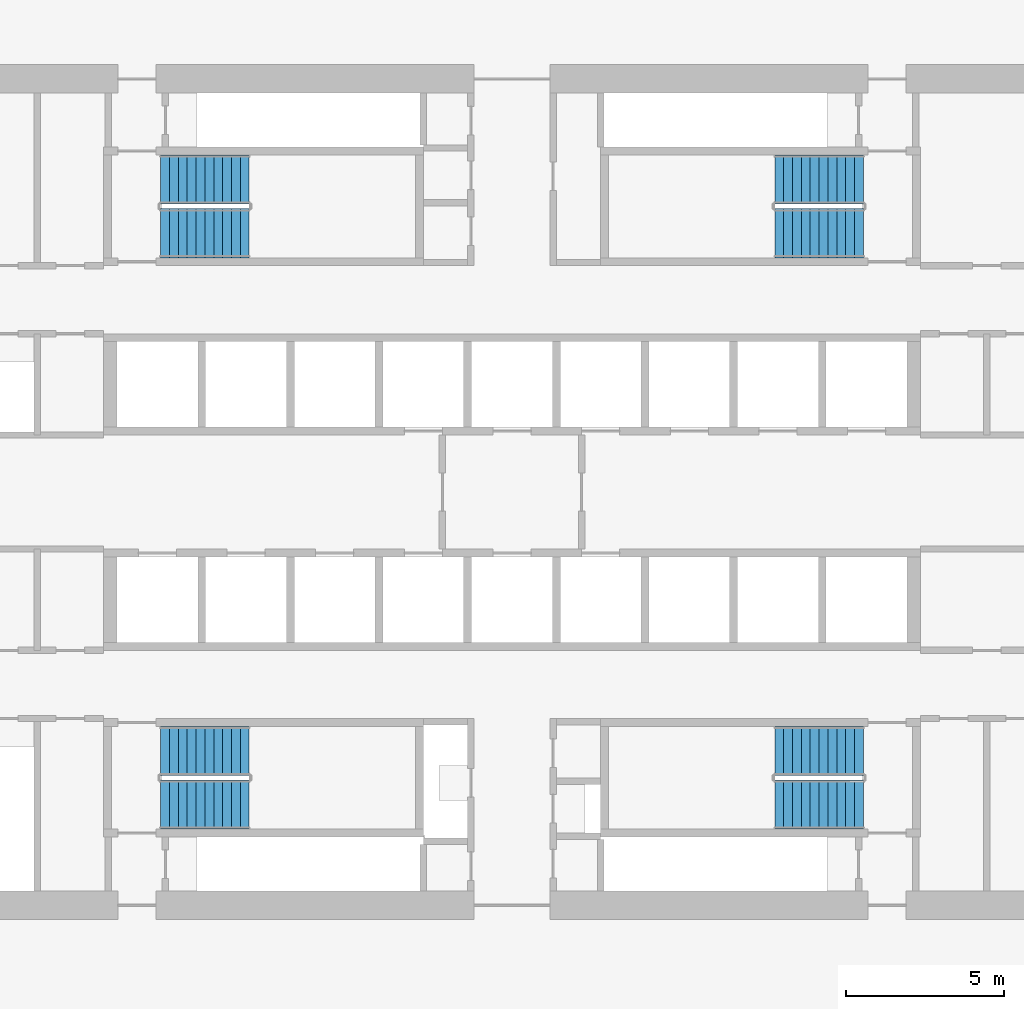
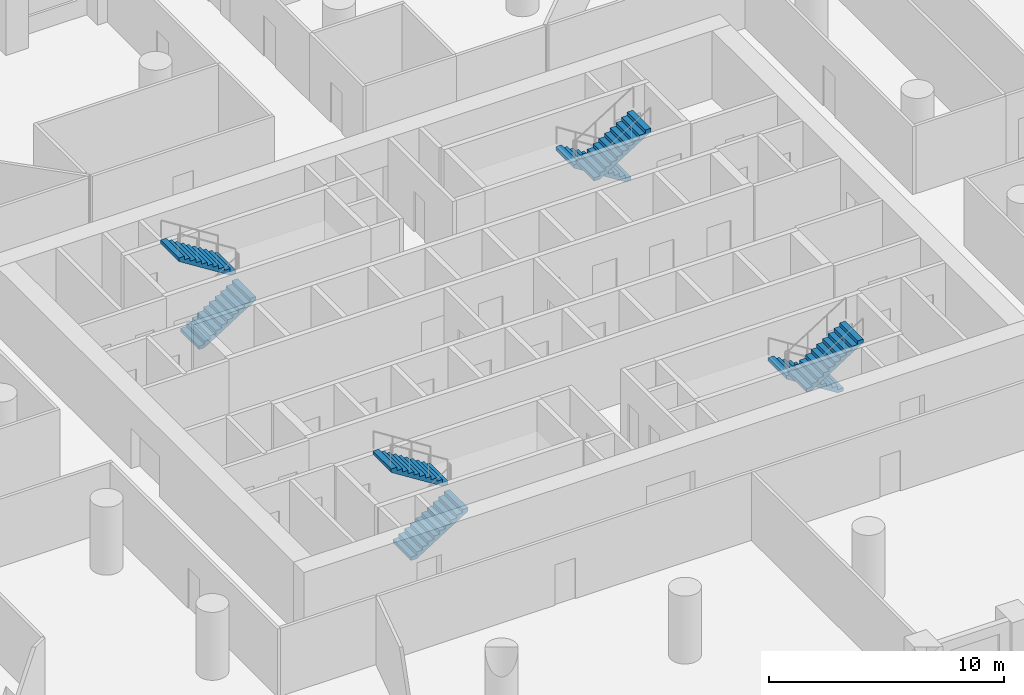
# One storey, part 9 of 10: 8 stair flights, 4 elements without a shape of their own.
"""IFC4 building model written with IfcOpenShell, lengths in metres."""

from ifc_helpers import new_model, si_unit, direction, frame, origin, place, context, subcontext, project, spatial, polyline, outline, extrude, material, type_object, element, aggregate, save


model = new_model("IFC4")

# Units and contexts
model_context = context("Model", 3, precision=1e-05, world=origin(), true_north=direction((0.0, 1.0)))
body_context = subcontext(model_context, "Body", "Model", "MODEL_VIEW")
ifc_project = project(units=[si_unit("LENGTHUNIT", "METRE"), si_unit("AREAUNIT", "SQUARE_METRE"), si_unit("VOLUMEUNIT", "CUBIC_METRE"), si_unit("PLANEANGLEUNIT", "RADIAN"), si_unit("MASSUNIT", "GRAM", prefix="KILO")], contexts=[model_context])

# Site, building, storey
site_placement = place(None, origin())
site = spatial("IfcSite", under=ifc_project, at=site_placement, CompositionType="ELEMENT")
building_placement = place(site_placement, origin())
building = spatial("IfcBuilding", under=site, at=building_placement, Name="Dhurran Vertical Campus", CompositionType="ELEMENT")
storey_placement = place(building_placement, frame((0.0, 0.0, 57.300048828125)))
storey = spatial("IfcBuildingStorey", under=building, at=storey_placement, Name="L13", CompositionType="ELEMENT", Elevation=57.300048828125)

# Stair, stair flights
ifc_material_1 = material(Name="Concrete C40/50", Category="concrete")
stair_type = type_object("IfcStairType", Name="co-ST-CORE", PredefinedType="HALF_TURN_STAIR", material=ifc_material_1)
stair_1_placement = place(storey_placement, origin())
stair_1 = element("IfcStair", 1, at=stair_1_placement, inside=storey, type_object=stair_type, Name="L13 Protected exit stair ST1", PredefinedType="HALF_TURN_STAIR")
ifc_material_2 = material(Name="Concrete C40/50", Category="concrete")
stair_flight_type = type_object("IfcStairFlightType", Name="co-SFL-RC", PredefinedType="STRAIGHT", material=ifc_material_2)
stair_flight_1_placement = place(storey_placement, frame((-11.10009765625, 8.175048828125, 0.0), z_axis=(0.0, 0.0, 1.0), x_axis=(1.0, 0.0, 0.0)))
stair_flight_1 = element("IfcStairFlight", 2, at=stair_flight_1_placement, type_object=stair_flight_type, Name="ST1 flight 1", NumberOfRisers=11, NumberOfTreads=10, PredefinedType="STRAIGHT", RiserHeight=0.177272727, TreadLength=0.28, context=body_context, shape_type="SweptSolid", body=[
    extrude(outline(polyline([(0.0, 0.0), (0.0, 0.17724609375), (0.280029296875, 0.17724609375), (0.280029296875, 0.3544921875), (0.56005859375, 0.3544921875), (0.56005859375, 0.53173828125), (0.840087890625, 0.53173828125), (0.840087890625, 0.708984375), (1.1201171875, 0.708984375), (1.1201171875, 0.886474609375), (1.39990234375, 0.886474609375), (1.39990234375, 1.063720703125), (1.679931640625, 1.063720703125), (1.679931640625, 1.240966796875), (1.9599609375, 1.240966796875), (1.9599609375, 1.418212890625), (2.239990234375, 1.418212890625), (2.239990234375, 1.595458984375), (2.52001953125, 1.595458984375), (2.52001953125, 1.772705078125), (2.800048828125, 1.772705078125), (2.800048828125, 1.949951171875), (2.800048828125, 1.59521484375), (0.2802734375, 0.0), (0.0, 0.0)])), frame((0.0, 0.77490234375, 0.0), z_axis=(0.0, -1.0, 0.0), x_axis=(1.0, 0.0, 0.0)), (0.0, 0.0, 1.0), 1.550048828125),
])
stair_flight_2_placement = place(storey_placement, frame((-8.300048828125, 9.875, 1.949951171875), z_axis=(0.0, 0.0, 1.0), x_axis=(-1.0, 0.0, 0.0)))
stair_flight_2 = element("IfcStairFlight", 3, at=stair_flight_2_placement, type_object=stair_flight_type, Name="ST1 flight 2", NumberOfRisers=11, NumberOfTreads=10, PredefinedType="STRAIGHT", RiserHeight=0.177272727, TreadLength=0.28, context=body_context, shape_type="SweptSolid", body=[
    extrude(outline(polyline([(0.0, 0.0), (0.0, 0.17724609375), (0.280029296875, 0.17724609375), (0.280029296875, 0.3544921875), (0.56005859375, 0.3544921875), (0.56005859375, 0.53173828125), (0.840087890625, 0.53173828125), (0.840087890625, 0.708984375), (1.1201171875, 0.708984375), (1.1201171875, 0.886474609375), (1.39990234375, 0.886474609375), (1.39990234375, 1.063720703125), (1.679931640625, 1.063720703125), (1.679931640625, 1.240966796875), (1.9599609375, 1.240966796875), (1.9599609375, 1.418212890625), (2.239990234375, 1.418212890625), (2.239990234375, 1.595458984375), (2.52001953125, 1.595458984375), (2.52001953125, 1.772705078125), (2.800048828125, 1.772705078125), (2.800048828125, 1.949951171875), (2.800048828125, 1.59521484375), (0.2802734375, 0.0), (0.0, 0.0)])), frame((0.0, 0.77490234375, 0.0), z_axis=(0.0, -1.0, 0.0), x_axis=(1.0, 0.0, 0.0)), (0.0, 0.0, 1.0), 1.550048828125),
])
aggregate(stair_1, [stair_flight_1, stair_flight_2])

stair_2_placement = place(storey_placement, origin())
stair_2 = element("IfcStair", 4, at=stair_2_placement, inside=storey, type_object=stair_type, Name="L13 Protected exit stair ST2", PredefinedType="HALF_TURN_STAIR")
stair_flight_3_placement = place(storey_placement, frame((11.10009765625, 9.875, 0.0), z_axis=(0.0, 0.0, 1.0), x_axis=(-1.0, 0.0, 0.0)))
stair_flight_3 = element("IfcStairFlight", 5, at=stair_flight_3_placement, type_object=stair_flight_type, Name="ST2 flight 1", NumberOfRisers=11, NumberOfTreads=10, PredefinedType="STRAIGHT", RiserHeight=0.177272727, TreadLength=0.28, context=body_context, shape_type="SweptSolid", body=[
    extrude(outline(polyline([(0.0, 0.0), (0.0, 0.17724609375), (0.280029296875, 0.17724609375), (0.280029296875, 0.3544921875), (0.56005859375, 0.3544921875), (0.56005859375, 0.53173828125), (0.840087890625, 0.53173828125), (0.840087890625, 0.708984375), (1.1201171875, 0.708984375), (1.1201171875, 0.886474609375), (1.39990234375, 0.886474609375), (1.39990234375, 1.063720703125), (1.679931640625, 1.063720703125), (1.679931640625, 1.240966796875), (1.9599609375, 1.240966796875), (1.9599609375, 1.418212890625), (2.239990234375, 1.418212890625), (2.239990234375, 1.595458984375), (2.52001953125, 1.595458984375), (2.52001953125, 1.772705078125), (2.800048828125, 1.772705078125), (2.800048828125, 1.949951171875), (2.800048828125, 1.59521484375), (0.2802734375, 0.0), (0.0, 0.0)])), frame((0.0, 0.77490234375, 0.0), z_axis=(0.0, -1.0, 0.0), x_axis=(1.0, 0.0, 0.0)), (0.0, 0.0, 1.0), 1.550048828125),
])
stair_flight_4_placement = place(storey_placement, frame((8.300048828125, 8.175048828125, 1.949951171875), z_axis=(0.0, 0.0, 1.0), x_axis=(1.0, 0.0, 0.0)))
stair_flight_4 = element("IfcStairFlight", 6, at=stair_flight_4_placement, type_object=stair_flight_type, Name="ST2 flight 2", NumberOfRisers=11, NumberOfTreads=10, PredefinedType="STRAIGHT", RiserHeight=0.177272727, TreadLength=0.28, context=body_context, shape_type="SweptSolid", body=[
    extrude(outline(polyline([(0.0, 0.0), (0.0, 0.17724609375), (0.280029296875, 0.17724609375), (0.280029296875, 0.3544921875), (0.56005859375, 0.3544921875), (0.56005859375, 0.53173828125), (0.840087890625, 0.53173828125), (0.840087890625, 0.708984375), (1.1201171875, 0.708984375), (1.1201171875, 0.886474609375), (1.39990234375, 0.886474609375), (1.39990234375, 1.063720703125), (1.679931640625, 1.063720703125), (1.679931640625, 1.240966796875), (1.9599609375, 1.240966796875), (1.9599609375, 1.418212890625), (2.239990234375, 1.418212890625), (2.239990234375, 1.595458984375), (2.52001953125, 1.595458984375), (2.52001953125, 1.772705078125), (2.800048828125, 1.772705078125), (2.800048828125, 1.949951171875), (2.800048828125, 1.59521484375), (0.2802734375, 0.0), (0.0, 0.0)])), frame((0.0, 0.77490234375, 0.0), z_axis=(0.0, -1.0, 0.0), x_axis=(1.0, 0.0, 0.0)), (0.0, 0.0, 1.0), 1.550048828125),
])
aggregate(stair_2, [stair_flight_3, stair_flight_4])

stair_3_placement = place(storey_placement, origin())
stair_3 = element("IfcStair", 7, at=stair_3_placement, inside=storey, type_object=stair_type, Name="L13 Protected exit stair ST3", PredefinedType="HALF_TURN_STAIR")
stair_flight_5_placement = place(storey_placement, frame((-11.10009765625, -9.875, 0.0), z_axis=(0.0, 0.0, 1.0), x_axis=(1.0, 0.0, 0.0)))
stair_flight_5 = element("IfcStairFlight", 8, at=stair_flight_5_placement, type_object=stair_flight_type, Name="ST3 flight 1", NumberOfRisers=11, NumberOfTreads=10, PredefinedType="STRAIGHT", RiserHeight=0.177272727, TreadLength=0.28, context=body_context, shape_type="SweptSolid", body=[
    extrude(outline(polyline([(0.0, 0.0), (0.0, 0.17724609375), (0.280029296875, 0.17724609375), (0.280029296875, 0.3544921875), (0.56005859375, 0.3544921875), (0.56005859375, 0.53173828125), (0.840087890625, 0.53173828125), (0.840087890625, 0.708984375), (1.1201171875, 0.708984375), (1.1201171875, 0.886474609375), (1.39990234375, 0.886474609375), (1.39990234375, 1.063720703125), (1.679931640625, 1.063720703125), (1.679931640625, 1.240966796875), (1.9599609375, 1.240966796875), (1.9599609375, 1.418212890625), (2.239990234375, 1.418212890625), (2.239990234375, 1.595458984375), (2.52001953125, 1.595458984375), (2.52001953125, 1.772705078125), (2.800048828125, 1.772705078125), (2.800048828125, 1.949951171875), (2.800048828125, 1.59521484375), (0.2802734375, 0.0), (0.0, 0.0)])), frame((0.0, 0.77490234375, 0.0), z_axis=(0.0, -1.0, 0.0), x_axis=(1.0, 0.0, 0.0)), (0.0, 0.0, 1.0), 1.550048828125),
])
stair_flight_6_placement = place(storey_placement, frame((-8.300048828125, -8.175048828125, 1.949951171875), z_axis=(0.0, 0.0, 1.0), x_axis=(-1.0, 0.0, 0.0)))
stair_flight_6 = element("IfcStairFlight", 9, at=stair_flight_6_placement, type_object=stair_flight_type, Name="ST3 flight 2", NumberOfRisers=11, NumberOfTreads=10, PredefinedType="STRAIGHT", RiserHeight=0.177272727, TreadLength=0.28, context=body_context, shape_type="SweptSolid", body=[
    extrude(outline(polyline([(0.0, 0.0), (0.0, 0.17724609375), (0.280029296875, 0.17724609375), (0.280029296875, 0.3544921875), (0.56005859375, 0.3544921875), (0.56005859375, 0.53173828125), (0.840087890625, 0.53173828125), (0.840087890625, 0.708984375), (1.1201171875, 0.708984375), (1.1201171875, 0.886474609375), (1.39990234375, 0.886474609375), (1.39990234375, 1.063720703125), (1.679931640625, 1.063720703125), (1.679931640625, 1.240966796875), (1.9599609375, 1.240966796875), (1.9599609375, 1.418212890625), (2.239990234375, 1.418212890625), (2.239990234375, 1.595458984375), (2.52001953125, 1.595458984375), (2.52001953125, 1.772705078125), (2.800048828125, 1.772705078125), (2.800048828125, 1.949951171875), (2.800048828125, 1.59521484375), (0.2802734375, 0.0), (0.0, 0.0)])), frame((0.0, 0.77490234375, 0.0), z_axis=(0.0, -1.0, 0.0), x_axis=(1.0, 0.0, 0.0)), (0.0, 0.0, 1.0), 1.550048828125),
])
aggregate(stair_3, [stair_flight_5, stair_flight_6])

stair_4_placement = place(storey_placement, origin())
stair_4 = element("IfcStair", 10, at=stair_4_placement, inside=storey, type_object=stair_type, Name="L13 Protected exit stair ST4", PredefinedType="HALF_TURN_STAIR")
stair_flight_7_placement = place(storey_placement, frame((11.10009765625, -8.175048828125, 0.0), z_axis=(0.0, 0.0, 1.0), x_axis=(-1.0, 0.0, 0.0)))
stair_flight_7 = element("IfcStairFlight", 11, at=stair_flight_7_placement, type_object=stair_flight_type, Name="ST4 flight 1", NumberOfRisers=11, NumberOfTreads=10, PredefinedType="STRAIGHT", RiserHeight=0.177272727, TreadLength=0.28, context=body_context, shape_type="SweptSolid", body=[
    extrude(outline(polyline([(0.0, 0.0), (0.0, 0.17724609375), (0.280029296875, 0.17724609375), (0.280029296875, 0.3544921875), (0.56005859375, 0.3544921875), (0.56005859375, 0.53173828125), (0.840087890625, 0.53173828125), (0.840087890625, 0.708984375), (1.1201171875, 0.708984375), (1.1201171875, 0.886474609375), (1.39990234375, 0.886474609375), (1.39990234375, 1.063720703125), (1.679931640625, 1.063720703125), (1.679931640625, 1.240966796875), (1.9599609375, 1.240966796875), (1.9599609375, 1.418212890625), (2.239990234375, 1.418212890625), (2.239990234375, 1.595458984375), (2.52001953125, 1.595458984375), (2.52001953125, 1.772705078125), (2.800048828125, 1.772705078125), (2.800048828125, 1.949951171875), (2.800048828125, 1.59521484375), (0.2802734375, 0.0), (0.0, 0.0)])), frame((0.0, 0.77490234375, 0.0), z_axis=(0.0, -1.0, 0.0), x_axis=(1.0, 0.0, 0.0)), (0.0, 0.0, 1.0), 1.550048828125),
])
stair_flight_8_placement = place(storey_placement, frame((8.300048828125, -9.875, 1.949951171875), z_axis=(0.0, 0.0, 1.0), x_axis=(1.0, 0.0, 0.0)))
stair_flight_8 = element("IfcStairFlight", 12, at=stair_flight_8_placement, type_object=stair_flight_type, Name="ST4 flight 2", NumberOfRisers=11, NumberOfTreads=10, PredefinedType="STRAIGHT", RiserHeight=0.177272727, TreadLength=0.28, context=body_context, shape_type="SweptSolid", body=[
    extrude(outline(polyline([(0.0, 0.0), (0.0, 0.17724609375), (0.280029296875, 0.17724609375), (0.280029296875, 0.3544921875), (0.56005859375, 0.3544921875), (0.56005859375, 0.53173828125), (0.840087890625, 0.53173828125), (0.840087890625, 0.708984375), (1.1201171875, 0.708984375), (1.1201171875, 0.886474609375), (1.39990234375, 0.886474609375), (1.39990234375, 1.063720703125), (1.679931640625, 1.063720703125), (1.679931640625, 1.240966796875), (1.9599609375, 1.240966796875), (1.9599609375, 1.418212890625), (2.239990234375, 1.418212890625), (2.239990234375, 1.595458984375), (2.52001953125, 1.595458984375), (2.52001953125, 1.772705078125), (2.800048828125, 1.772705078125), (2.800048828125, 1.949951171875), (2.800048828125, 1.59521484375), (0.2802734375, 0.0), (0.0, 0.0)])), frame((0.0, 0.77490234375, 0.0), z_axis=(0.0, -1.0, 0.0), x_axis=(1.0, 0.0, 0.0)), (0.0, 0.0, 1.0), 1.550048828125),
])
aggregate(stair_4, [stair_flight_7, stair_flight_8])

save(model, "model.ifc")
